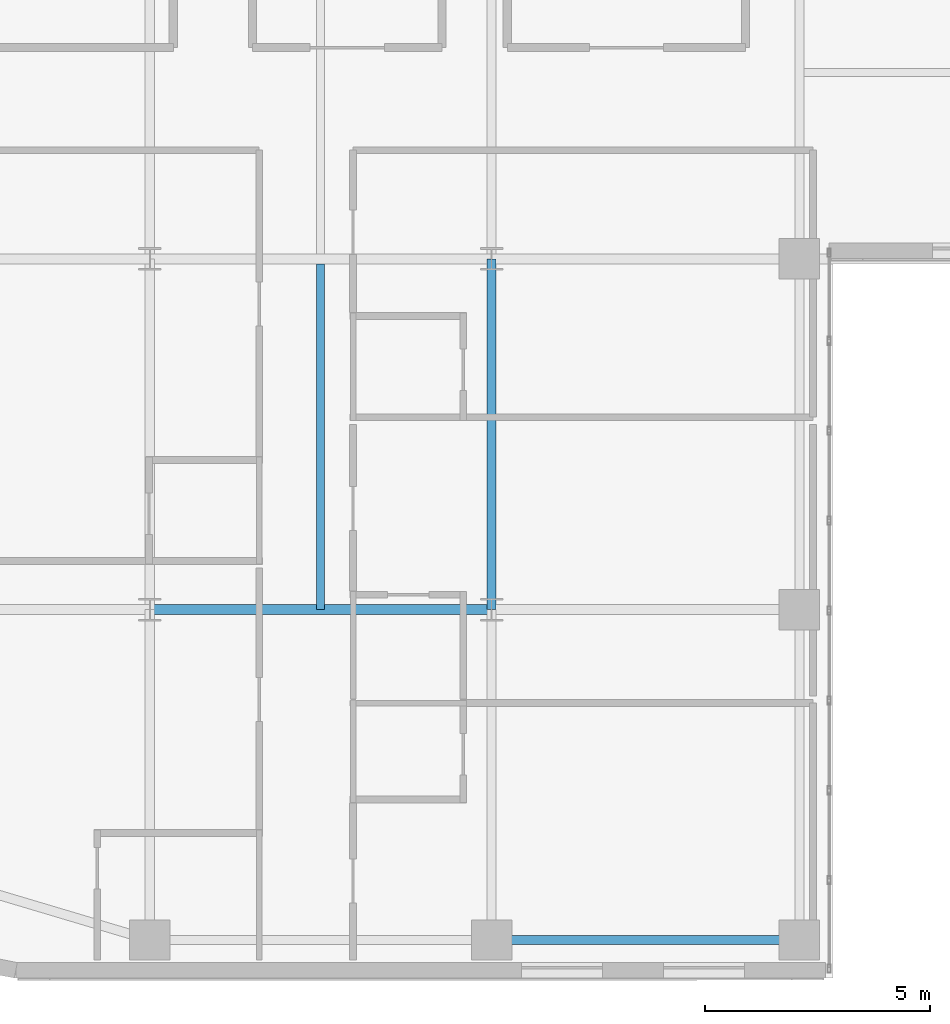
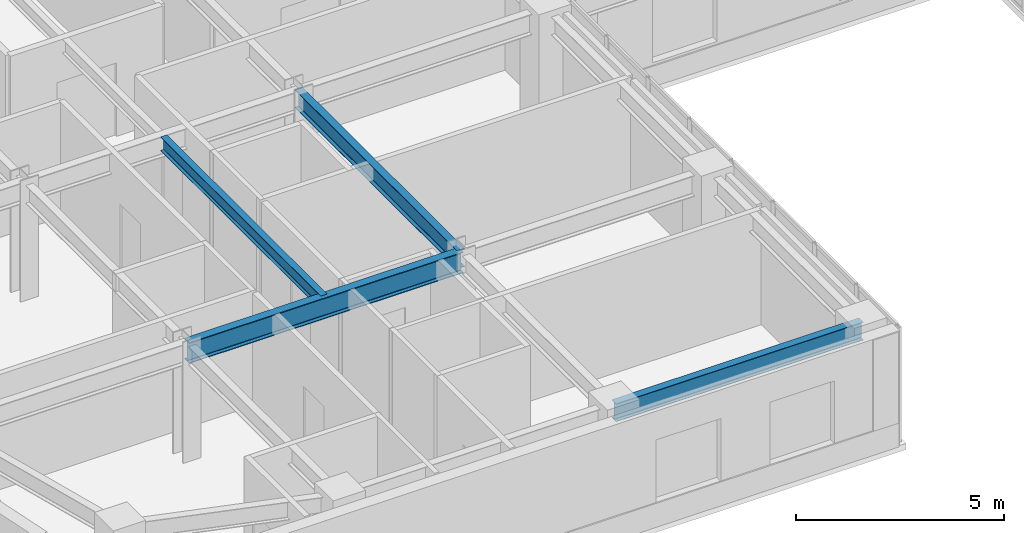
# One storey, part 5 of 37: 4 beams.
"""IFC4 building model written with IfcOpenShell, lengths in metres."""

from ifc_helpers import new_model, si_unit, direction, frame, origin, origin_2d, place, context, subcontext, project, spatial, i_section, extrude, source, transform, mapped, material, material_profile, profile_set, type_object, type_shapes, element, save


model = new_model("IFC4")

# Units and contexts
model_context = context("Model", 3, precision=1e-05, world=origin(), true_north=direction((0.0, 1.0)))
body_context = subcontext(model_context, "Body", "Model", "MODEL_VIEW")
ifc_project = project(units=[si_unit("LENGTHUNIT", "METRE"), si_unit("AREAUNIT", "SQUARE_METRE"), si_unit("VOLUMEUNIT", "CUBIC_METRE"), si_unit("PLANEANGLEUNIT", "RADIAN"), si_unit("MASSUNIT", "GRAM", prefix="KILO")], contexts=[model_context])

# Site, building, storey
site_placement = place(None, origin())
site = spatial("IfcSite", under=ifc_project, at=site_placement, CompositionType="ELEMENT")
building_placement = place(site_placement, origin())
building = spatial("IfcBuilding", under=site, at=building_placement, Name="Tolvann Quenvar Hotel", CompositionType="ELEMENT")
storey_placement = place(building_placement, frame((0.0, 0.0, 104.449951171875)))
storey = spatial("IfcBuildingStorey", under=building, at=storey_placement, Name="L26", CompositionType="ELEMENT", Elevation=104.449951171875)

# Beams
ifc_material = material(Name="Steel Grade 350", Category="steel")
ifc_material_profile_1 = material_profile(ifc_material, i_section(OverallWidth=0.208984375, OverallDepth=0.528076171875, WebThickness=0.009521484375, FlangeThickness=0.01318359375, FilletRadius=0.013916015625, at=origin_2d()), Name="530UB82")
ifc_profile_set_1 = profile_set([ifc_material_profile_1], Name="Steel Grade 350")
beam_type_1 = type_object("IfcBeamType", Name="BM_SPAND_530UB82", PredefinedType="SPANDREL", material=ifc_profile_set_1)
shared_shape_1 = source(origin(), body_context, "Body", "SweptSolid", [
    extrude(i_section(OverallWidth=0.208984375, OverallDepth=0.528076171875, WebThickness=0.009521484375, FlangeThickness=0.01318359375, FilletRadius=0.013916015625, at=origin_2d()), origin(), (0.0, 0.0, 1.0), 6.85009765625),
])
type_shapes(beam_type_1, [shared_shape_1])
beam_1_placement = place(storey_placement, frame((15.199951171875, 0.85009765625, 3.10595703125), z_axis=(1.0, 0.0, 0.0), x_axis=(0.0, 1.0, 0.0)))
element("IfcBeam", 1, at=beam_1_placement, inside=storey, type_object=beam_type_1, Name="BM-L26-EW-2-D2-E2", PredefinedType="SPANDREL", context=body_context, shape_type="MappedRepresentation", body=[
    mapped(shared_shape_1, transform((0.0, 0.0, 0.0), x_axis=(1.0, 0.0, 0.0), y_axis=(0.0, 1.0, 0.0), z_axis=(0.0, 0.0, 1.0), scale=1.0)),
])
ifc_material_profile_2 = material_profile(ifc_material, i_section(OverallWidth=0.22900390625, OverallDepth=0.612060546875, WebThickness=0.011962890625, FlangeThickness=0.01953125, FilletRadius=0.013916015625, at=origin_2d()), Name="610UB125")
ifc_profile_set_2 = profile_set([ifc_material_profile_2], Name="Steel Grade 350")
beam_type_2 = type_object("IfcBeamType", Name="BM_GIRD_610UB125", PredefinedType="BEAM", material=ifc_profile_set_2)
shared_shape_2 = source(origin(), body_context, "Body", "SweptSolid", [
    extrude(i_section(OverallWidth=0.22900390625, OverallDepth=0.612060546875, WebThickness=0.011962890625, FlangeThickness=0.01953125, FilletRadius=0.013916015625, at=origin_2d()), origin(), (0.0, 0.0, 1.0), 7.599853515625),
])
type_shapes(beam_type_2, [shared_shape_2])
beam_2_placement = place(storey_placement, frame((7.60009765625, 8.199951171875, 3.06396484375), z_axis=(1.0, 0.0, 0.0), x_axis=(0.0, 1.0, 0.0)))
element("IfcBeam", 2, at=beam_2_placement, inside=storey, type_object=beam_type_2, Name="BM-L26-EW-3-C3-D3", PredefinedType="BEAM", context=body_context, shape_type="MappedRepresentation", body=[
    mapped(shared_shape_2, transform((0.0, 0.0, 0.0), x_axis=(1.0, 0.0, 0.0), y_axis=(0.0, 1.0, 0.0), z_axis=(0.0, 0.0, 1.0), scale=1.0)),
])
ifc_material_profile_3 = material_profile(ifc_material, i_section(OverallWidth=0.208984375, OverallDepth=0.532958984375, WebThickness=0.01025390625, FlangeThickness=0.015625, FilletRadius=0.013916015625, at=origin_2d()), Name="530UB92")
ifc_profile_set_3 = profile_set([ifc_material_profile_3], Name="Steel Grade 350")
beam_type_3 = type_object("IfcBeamType", Name="BM_GIRD_530UB92", PredefinedType="BEAM", material=ifc_profile_set_3)
shared_shape_3 = source(origin(), body_context, "Body", "SweptSolid", [
    extrude(i_section(OverallWidth=0.208984375, OverallDepth=0.532958984375, WebThickness=0.01025390625, FlangeThickness=0.015625, FilletRadius=0.013916015625, at=origin_2d()), origin(), (0.0, 0.0, 1.0), 7.800048828125),
])
type_shapes(beam_type_3, [shared_shape_3])
beam_3_placement = place(storey_placement, frame((15.199951171875, 8.199951171875, 3.103515625), z_axis=(0.0, 1.0, 0.0), x_axis=(-1.0, 0.0, 0.0)))
element("IfcBeam", 3, at=beam_3_placement, inside=storey, type_object=beam_type_3, Name="BM-L26-NS-D3-D4", PredefinedType="BEAM", context=body_context, shape_type="MappedRepresentation", body=[
    mapped(shared_shape_3, transform((0.0, 0.0, 0.0), x_axis=(1.0, 0.0, 0.0), y_axis=(0.0, 1.0, 0.0), z_axis=(0.0, 0.0, 1.0), scale=1.0)),
])
ifc_material_profile_4 = material_profile(ifc_material, i_section(OverallWidth=0.177978515625, OverallDepth=0.406005859375, WebThickness=0.0078125, FlangeThickness=0.0126953125, FilletRadius=0.011474609375, at=origin_2d()), Name="410UB60")
ifc_profile_set_4 = profile_set([ifc_material_profile_4], Name="Steel Grade 350")
beam_type_4 = type_object("IfcBeamType", Name="BM_JOIST_410UB60", PredefinedType="JOIST", material=ifc_profile_set_4)
shared_shape_4 = source(origin(), body_context, "Body", "SweptSolid", [
    extrude(i_section(OverallWidth=0.177978515625, OverallDepth=0.406005859375, WebThickness=0.0078125, FlangeThickness=0.0126953125, FilletRadius=0.011474609375, at=origin_2d()), origin(), (0.0, 0.0, 1.0), 7.691650390625),
])
type_shapes(beam_type_4, [shared_shape_4])
beam_4_placement = place(storey_placement, frame((11.39990234375, 8.199951171875, 3.1669921875), z_axis=(0.0, 1.0, 0.0), x_axis=(-1.0, 0.0, 0.0)))
element("IfcBeam", 4, at=beam_4_placement, inside=storey, type_object=beam_type_4, Name="BJ-L26-114-82", PredefinedType="JOIST", context=body_context, shape_type="MappedRepresentation", body=[
    mapped(shared_shape_4, transform((0.0, 0.0, 0.0), x_axis=(1.0, 0.0, 0.0), y_axis=(0.0, 1.0, 0.0), z_axis=(0.0, 0.0, 1.0), scale=1.0)),
])

save(model, "model.ifc")
